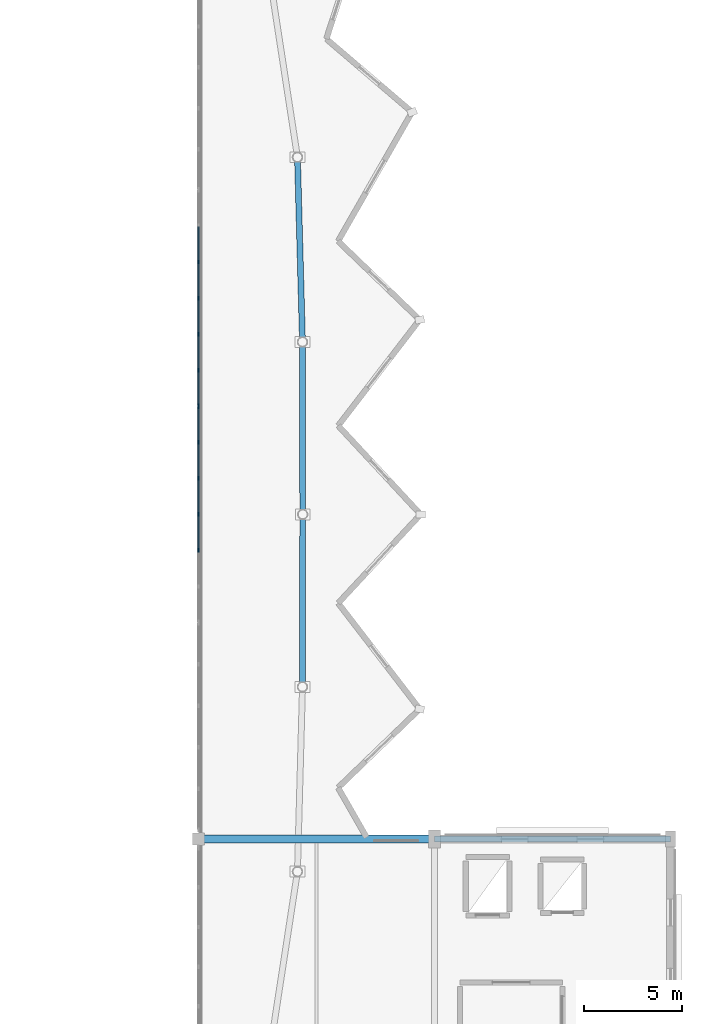
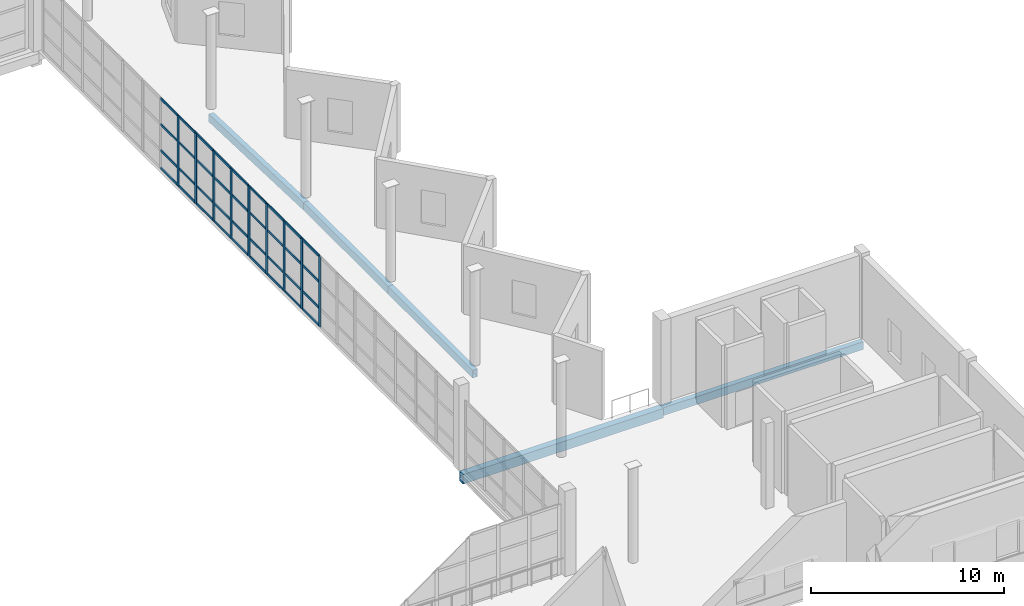
# One storey, part 20 of 49: 46 members, 5 beams, 2 elements without a shape of their own.
"""IFC4 building model written with IfcOpenShell, lengths in metres."""

from ifc_helpers import new_model, si_unit, direction, frame, origin, origin_2d, place, context, subcontext, project, spatial, rectangle, hollow_rectangle, extrude, material, material_profile, profile_set, type_object, element, aggregate, save


model = new_model("IFC4")

# Units and contexts
model_context = context("Model", 3, precision=1e-05, world=origin(), true_north=direction((0.0, 1.0)))
body_context = subcontext(model_context, "Body", "Model", "MODEL_VIEW")
ifc_project = project(units=[si_unit("LENGTHUNIT", "METRE"), si_unit("AREAUNIT", "SQUARE_METRE"), si_unit("VOLUMEUNIT", "CUBIC_METRE"), si_unit("PLANEANGLEUNIT", "RADIAN"), si_unit("MASSUNIT", "GRAM", prefix="KILO")], contexts=[model_context])

# Site, building, storey
site_placement = place(None, origin())
site = spatial("IfcSite", under=ifc_project, at=site_placement, CompositionType="ELEMENT")
building_placement = place(site_placement, origin())
building = spatial("IfcBuilding", under=site, at=building_placement, Name="Luwafu Chhajja Arena", CompositionType="ELEMENT")
storey_placement = place(building_placement, frame((0.0, 0.0, 24.300048828125)))
storey = spatial("IfcBuildingStorey", under=building, at=storey_placement, Name="L05", CompositionType="ELEMENT", Elevation=24.300048828125)

# Curtain wall, members
ifc_material_1 = material(Name="Anodised bronze aluminium", Category="aluminium")
curtain_wall_type = type_object("IfcCurtainWallType", Name="VIP Club Terrace Curtain Wall", PredefinedType="USERDEFINED", material=ifc_material_1)
curtain_wall_1_placement = place(storey_placement, origin())
curtain_wall_1 = element("IfcCurtainWall", 1, at=curtain_wall_1_placement, inside=storey, type_object=curtain_wall_type, Name="L05 Bowl Viewing Curtain Wall CWR-L05-22", ObjectType="CURTAIN WALL", PredefinedType="USERDEFINED")
ifc_material_profile_1 = material_profile(ifc_material_1, rectangle(XDim=0.06494140625, YDim=0.199951171875, at=origin_2d()), Name="CWM 65x200")
ifc_profile_set_1 = profile_set([ifc_material_profile_1], Name="Anodised bronze aluminium")
member_type_1 = type_object("IfcMemberType", Name="Bronze Curtain Wall Mullion 65x200", PredefinedType="MULLION", material=ifc_profile_set_1)
member_1_placement = place(storey_placement, frame((140.0, 47.666748046875, 0.0), z_axis=(0.0, 0.0, 1.0), x_axis=(-1.0, 0.0, 0.0)))
member_1 = element("IfcMember", 2, at=member_1_placement, type_object=member_type_1, Name="CW-10 mullion 3", PredefinedType="MULLION", context=body_context, shape_type="SweptSolid", body=[
    extrude(rectangle(XDim=0.06494140625, YDim=0.199951171875, at=origin_2d()), origin(), (0.0, 0.0, 1.0), 4.449951171875),
])
member_2_placement = place(storey_placement, frame((140.0, 49.5, 0.0), z_axis=(0.0, 0.0, 1.0), x_axis=(-1.0, 0.0, 0.0)))
member_2 = element("IfcMember", 3, at=member_2_placement, type_object=member_type_1, Name="CW-10 mullion 4", PredefinedType="MULLION", context=body_context, shape_type="SweptSolid", body=[
    extrude(rectangle(XDim=0.06494140625, YDim=0.199951171875, at=origin_2d()), origin(), (0.0, 0.0, 1.0), 4.449951171875),
])
member_3_placement = place(storey_placement, frame((140.0, 51.333251953125, 0.0), z_axis=(0.0, 0.0, 1.0), x_axis=(-1.0, 0.0, 0.0)))
member_3 = element("IfcMember", 4, at=member_3_placement, type_object=member_type_1, Name="CW-10 mullion 5", PredefinedType="MULLION", context=body_context, shape_type="SweptSolid", body=[
    extrude(rectangle(XDim=0.06494140625, YDim=0.199951171875, at=origin_2d()), origin(), (0.0, 0.0, 1.0), 4.449951171875),
])
member_4_placement = place(storey_placement, frame((140.0, 53.166748046875, 0.0), z_axis=(0.0, 0.0, 1.0), x_axis=(-1.0, 0.0, 0.0)))
member_4 = element("IfcMember", 5, at=member_4_placement, type_object=member_type_1, Name="CW-10 mullion 6", PredefinedType="MULLION", context=body_context, shape_type="SweptSolid", body=[
    extrude(rectangle(XDim=0.06494140625, YDim=0.199951171875, at=origin_2d()), origin(), (0.0, 0.0, 1.0), 4.449951171875),
])
member_5_placement = place(storey_placement, frame((140.0, 54.967529296875, 0.0), z_axis=(0.0, 0.0, 1.0), x_axis=(-1.0, 0.0, 0.0)))
member_5 = element("IfcMember", 6, at=member_5_placement, type_object=member_type_1, Name="CW-10 mullion 7", PredefinedType="MULLION", context=body_context, shape_type="SweptSolid", body=[
    extrude(rectangle(XDim=0.06494140625, YDim=0.199951171875, at=origin_2d()), origin(), (0.0, 0.0, 1.0), 4.449951171875),
])

curtain_wall_2_placement = place(storey_placement, origin())
curtain_wall_2 = element("IfcCurtainWall", 7, at=curtain_wall_2_placement, inside=storey, type_object=curtain_wall_type, Name="L05 Bowl Viewing Curtain Wall CWR-L05-23", ObjectType="CURTAIN WALL", PredefinedType="USERDEFINED")
member_6_placement = place(storey_placement, frame((140.0, 55.032470703125, 0.0), z_axis=(0.0, 0.0, 1.0), x_axis=(-1.0, 0.0, 0.0)))
member_6 = element("IfcMember", 8, at=member_6_placement, type_object=member_type_1, Name="CW-10 mullion 1", PredefinedType="MULLION", context=body_context, shape_type="SweptSolid", body=[
    extrude(rectangle(XDim=0.06494140625, YDim=0.199951171875, at=origin_2d()), origin(), (0.0, 0.0, 1.0), 4.449951171875),
])
member_7_placement = place(storey_placement, frame((140.0, 56.833251953125, 0.0), z_axis=(0.0, 0.0, 1.0), x_axis=(-1.0, 0.0, 0.0)))
member_7 = element("IfcMember", 9, at=member_7_placement, type_object=member_type_1, Name="CW-10 mullion 2", PredefinedType="MULLION", context=body_context, shape_type="SweptSolid", body=[
    extrude(rectangle(XDim=0.06494140625, YDim=0.199951171875, at=origin_2d()), origin(), (0.0, 0.0, 1.0), 4.449951171875),
])
member_8_placement = place(storey_placement, frame((140.0, 58.666748046875, 0.0), z_axis=(0.0, 0.0, 1.0), x_axis=(-1.0, 0.0, 0.0)))
member_8 = element("IfcMember", 10, at=member_8_placement, type_object=member_type_1, Name="CW-10 mullion 3", PredefinedType="MULLION", context=body_context, shape_type="SweptSolid", body=[
    extrude(rectangle(XDim=0.06494140625, YDim=0.199951171875, at=origin_2d()), origin(), (0.0, 0.0, 1.0), 4.449951171875),
])
member_9_placement = place(storey_placement, frame((140.0, 60.5, 0.0), z_axis=(0.0, 0.0, 1.0), x_axis=(-1.0, 0.0, 0.0)))
member_9 = element("IfcMember", 11, at=member_9_placement, type_object=member_type_1, Name="CW-10 mullion 4", PredefinedType="MULLION", context=body_context, shape_type="SweptSolid", body=[
    extrude(rectangle(XDim=0.06494140625, YDim=0.199951171875, at=origin_2d()), origin(), (0.0, 0.0, 1.0), 4.449951171875),
])
member_10_placement = place(storey_placement, frame((140.0, 62.333251953125, 0.0), z_axis=(0.0, 0.0, 1.0), x_axis=(-1.0, 0.0, 0.0)))
member_10 = element("IfcMember", 12, at=member_10_placement, type_object=member_type_1, Name="CW-10 mullion 5", PredefinedType="MULLION", context=body_context, shape_type="SweptSolid", body=[
    extrude(rectangle(XDim=0.06494140625, YDim=0.199951171875, at=origin_2d()), origin(), (0.0, 0.0, 1.0), 4.449951171875),
])

# Member
ifc_material_profile_2 = material_profile(ifc_material_1, rectangle(XDim=0.06494140625, YDim=0.14990234375, at=origin_2d()), Name="CWT 65x150")
ifc_profile_set_2 = profile_set([ifc_material_profile_2], Name="Anodised bronze aluminium")
member_type_2 = type_object("IfcMemberType", Name="Bronze Curtain Wall Transom 65x150", PredefinedType="USERDEFINED", material=ifc_profile_set_2)
member_11_placement = place(storey_placement, frame((140.0, 47.69921875, 0.032470703125), z_axis=(0.0, 1.0, 0.0), x_axis=(-1.0, 0.0, 0.0)))
member_11 = element("IfcMember", 13, at=member_11_placement, type_object=member_type_2, Name="CW-10 transom 3.1", ObjectType="TRANSOM", PredefinedType="USERDEFINED", context=body_context, shape_type="SweptSolid", body=[
    extrude(rectangle(XDim=0.06494140625, YDim=0.14990234375, at=origin_2d()), origin(), (0.0, 0.0, 1.0), 1.768310546875),
])

member_12_placement = place(storey_placement, frame((140.0, 47.69921875, 1.14990234375), z_axis=(0.0, 1.0, 0.0), x_axis=(-1.0, 0.0, 0.0)))
member_12 = element("IfcMember", 14, at=member_12_placement, type_object=member_type_2, Name="CW-10 transom 3.2", ObjectType="TRANSOM", PredefinedType="USERDEFINED", context=body_context, shape_type="SweptSolid", body=[
    extrude(rectangle(XDim=0.06494140625, YDim=0.14990234375, at=origin_2d()), origin(), (0.0, 0.0, 1.0), 1.768310546875),
])

member_13_placement = place(storey_placement, frame((140.0, 47.69921875, 2.800048828125), z_axis=(0.0, 1.0, 0.0), x_axis=(-1.0, 0.0, 0.0)))
member_13 = element("IfcMember", 15, at=member_13_placement, type_object=member_type_2, Name="CW-10 transom 3.3", ObjectType="TRANSOM", PredefinedType="USERDEFINED", context=body_context, shape_type="SweptSolid", body=[
    extrude(rectangle(XDim=0.06494140625, YDim=0.14990234375, at=origin_2d()), origin(), (0.0, 0.0, 1.0), 1.768310546875),
])

member_14_placement = place(storey_placement, frame((140.0, 47.69921875, 4.41748046875), z_axis=(0.0, 1.0, 0.0), x_axis=(-1.0, 0.0, 0.0)))
member_14 = element("IfcMember", 16, at=member_14_placement, type_object=member_type_2, Name="CW-10 transom 3.4", ObjectType="TRANSOM", PredefinedType="USERDEFINED", context=body_context, shape_type="SweptSolid", body=[
    extrude(rectangle(XDim=0.06494140625, YDim=0.14990234375, at=origin_2d()), origin(), (0.0, 0.0, 1.0), 1.768310546875),
])

member_15_placement = place(storey_placement, frame((140.0, 49.532470703125, 0.032470703125), z_axis=(0.0, 1.0, 0.0), x_axis=(-1.0, 0.0, 0.0)))
member_15 = element("IfcMember", 17, at=member_15_placement, type_object=member_type_2, Name="CW-10 transom 4.1", ObjectType="TRANSOM", PredefinedType="USERDEFINED", context=body_context, shape_type="SweptSolid", body=[
    extrude(rectangle(XDim=0.06494140625, YDim=0.14990234375, at=origin_2d()), origin(), (0.0, 0.0, 1.0), 1.768310546875),
])

member_16_placement = place(storey_placement, frame((140.0, 49.532470703125, 1.14990234375), z_axis=(0.0, 1.0, 0.0), x_axis=(-1.0, 0.0, 0.0)))
member_16 = element("IfcMember", 18, at=member_16_placement, type_object=member_type_2, Name="CW-10 transom 4.2", ObjectType="TRANSOM", PredefinedType="USERDEFINED", context=body_context, shape_type="SweptSolid", body=[
    extrude(rectangle(XDim=0.06494140625, YDim=0.14990234375, at=origin_2d()), origin(), (0.0, 0.0, 1.0), 1.768310546875),
])

member_17_placement = place(storey_placement, frame((140.0, 49.532470703125, 2.800048828125), z_axis=(0.0, 1.0, 0.0), x_axis=(-1.0, 0.0, 0.0)))
member_17 = element("IfcMember", 19, at=member_17_placement, type_object=member_type_2, Name="CW-10 transom 4.3", ObjectType="TRANSOM", PredefinedType="USERDEFINED", context=body_context, shape_type="SweptSolid", body=[
    extrude(rectangle(XDim=0.06494140625, YDim=0.14990234375, at=origin_2d()), origin(), (0.0, 0.0, 1.0), 1.768310546875),
])

member_18_placement = place(storey_placement, frame((140.0, 49.532470703125, 4.41748046875), z_axis=(0.0, 1.0, 0.0), x_axis=(-1.0, 0.0, 0.0)))
member_18 = element("IfcMember", 20, at=member_18_placement, type_object=member_type_2, Name="CW-10 transom 4.4", ObjectType="TRANSOM", PredefinedType="USERDEFINED", context=body_context, shape_type="SweptSolid", body=[
    extrude(rectangle(XDim=0.06494140625, YDim=0.14990234375, at=origin_2d()), origin(), (0.0, 0.0, 1.0), 1.768310546875),
])

member_19_placement = place(storey_placement, frame((140.0, 51.36572265625, 0.032470703125), z_axis=(0.0, 1.0, 0.0), x_axis=(-1.0, 0.0, 0.0)))
member_19 = element("IfcMember", 21, at=member_19_placement, type_object=member_type_2, Name="CW-10 transom 5.1", ObjectType="TRANSOM", PredefinedType="USERDEFINED", context=body_context, shape_type="SweptSolid", body=[
    extrude(rectangle(XDim=0.06494140625, YDim=0.14990234375, at=origin_2d()), origin(), (0.0, 0.0, 1.0), 1.7685546875),
])

member_20_placement = place(storey_placement, frame((140.0, 51.36572265625, 1.14990234375), z_axis=(0.0, 1.0, 0.0), x_axis=(-1.0, 0.0, 0.0)))
member_20 = element("IfcMember", 22, at=member_20_placement, type_object=member_type_2, Name="CW-10 transom 5.2", ObjectType="TRANSOM", PredefinedType="USERDEFINED", context=body_context, shape_type="SweptSolid", body=[
    extrude(rectangle(XDim=0.06494140625, YDim=0.14990234375, at=origin_2d()), origin(), (0.0, 0.0, 1.0), 1.7685546875),
])

member_21_placement = place(storey_placement, frame((140.0, 51.36572265625, 2.800048828125), z_axis=(0.0, 1.0, 0.0), x_axis=(-1.0, 0.0, 0.0)))
member_21 = element("IfcMember", 23, at=member_21_placement, type_object=member_type_2, Name="CW-10 transom 5.3", ObjectType="TRANSOM", PredefinedType="USERDEFINED", context=body_context, shape_type="SweptSolid", body=[
    extrude(rectangle(XDim=0.06494140625, YDim=0.14990234375, at=origin_2d()), origin(), (0.0, 0.0, 1.0), 1.7685546875),
])

member_22_placement = place(storey_placement, frame((140.0, 51.36572265625, 4.41748046875), z_axis=(0.0, 1.0, 0.0), x_axis=(-1.0, 0.0, 0.0)))
member_22 = element("IfcMember", 24, at=member_22_placement, type_object=member_type_2, Name="CW-10 transom 5.4", ObjectType="TRANSOM", PredefinedType="USERDEFINED", context=body_context, shape_type="SweptSolid", body=[
    extrude(rectangle(XDim=0.06494140625, YDim=0.14990234375, at=origin_2d()), origin(), (0.0, 0.0, 1.0), 1.7685546875),
])

member_23_placement = place(storey_placement, frame((140.0, 53.19921875, 0.032470703125), z_axis=(0.0, 1.0, 0.0), x_axis=(-1.0, 0.0, 0.0)))
member_23 = element("IfcMember", 25, at=member_23_placement, type_object=member_type_2, Name="CW-10 transom 6.1", ObjectType="TRANSOM", PredefinedType="USERDEFINED", context=body_context, shape_type="SweptSolid", body=[
    extrude(rectangle(XDim=0.06494140625, YDim=0.14990234375, at=origin_2d()), origin(), (0.0, 0.0, 1.0), 1.73583984375),
])

member_24_placement = place(storey_placement, frame((140.0, 53.19921875, 1.14990234375), z_axis=(0.0, 1.0, 0.0), x_axis=(-1.0, 0.0, 0.0)))
member_24 = element("IfcMember", 26, at=member_24_placement, type_object=member_type_2, Name="CW-10 transom 6.2", ObjectType="TRANSOM", PredefinedType="USERDEFINED", context=body_context, shape_type="SweptSolid", body=[
    extrude(rectangle(XDim=0.06494140625, YDim=0.14990234375, at=origin_2d()), origin(), (0.0, 0.0, 1.0), 1.73583984375),
])

member_25_placement = place(storey_placement, frame((140.0, 53.19921875, 2.800048828125), z_axis=(0.0, 1.0, 0.0), x_axis=(-1.0, 0.0, 0.0)))
member_25 = element("IfcMember", 27, at=member_25_placement, type_object=member_type_2, Name="CW-10 transom 6.3", ObjectType="TRANSOM", PredefinedType="USERDEFINED", context=body_context, shape_type="SweptSolid", body=[
    extrude(rectangle(XDim=0.06494140625, YDim=0.14990234375, at=origin_2d()), origin(), (0.0, 0.0, 1.0), 1.73583984375),
])

member_26_placement = place(storey_placement, frame((140.0, 53.19921875, 4.41748046875), z_axis=(0.0, 1.0, 0.0), x_axis=(-1.0, 0.0, 0.0)))
member_26 = element("IfcMember", 28, at=member_26_placement, type_object=member_type_2, Name="CW-10 transom 6.4", ObjectType="TRANSOM", PredefinedType="USERDEFINED", context=body_context, shape_type="SweptSolid", body=[
    extrude(rectangle(XDim=0.06494140625, YDim=0.14990234375, at=origin_2d()), origin(), (0.0, 0.0, 1.0), 1.73583984375),
])

aggregate(curtain_wall_1, [member_1, member_2, member_3, member_4, member_5, member_11, member_12, member_13, member_14, member_15, member_16, member_17, member_18, member_19, member_20, member_21, member_22, member_23, member_24, member_25, member_26])

member_27_placement = place(storey_placement, frame((140.0, 55.06494140625, 0.032470703125), z_axis=(0.0, 1.0, 0.0), x_axis=(-1.0, 0.0, 0.0)))
member_27 = element("IfcMember", 29, at=member_27_placement, type_object=member_type_2, Name="CW-10 transom 1.1", ObjectType="TRANSOM", PredefinedType="USERDEFINED", context=body_context, shape_type="SweptSolid", body=[
    extrude(rectangle(XDim=0.06494140625, YDim=0.14990234375, at=origin_2d()), origin(), (0.0, 0.0, 1.0), 1.73583984375),
])

member_28_placement = place(storey_placement, frame((140.0, 55.06494140625, 1.14990234375), z_axis=(0.0, 1.0, 0.0), x_axis=(-1.0, 0.0, 0.0)))
member_28 = element("IfcMember", 30, at=member_28_placement, type_object=member_type_2, Name="CW-10 transom 1.2", ObjectType="TRANSOM", PredefinedType="USERDEFINED", context=body_context, shape_type="SweptSolid", body=[
    extrude(rectangle(XDim=0.06494140625, YDim=0.14990234375, at=origin_2d()), origin(), (0.0, 0.0, 1.0), 1.73583984375),
])

member_29_placement = place(storey_placement, frame((140.0, 55.06494140625, 2.800048828125), z_axis=(0.0, 1.0, 0.0), x_axis=(-1.0, 0.0, 0.0)))
member_29 = element("IfcMember", 31, at=member_29_placement, type_object=member_type_2, Name="CW-10 transom 1.3", ObjectType="TRANSOM", PredefinedType="USERDEFINED", context=body_context, shape_type="SweptSolid", body=[
    extrude(rectangle(XDim=0.06494140625, YDim=0.14990234375, at=origin_2d()), origin(), (0.0, 0.0, 1.0), 1.73583984375),
])

member_30_placement = place(storey_placement, frame((140.0, 55.06494140625, 4.41748046875), z_axis=(0.0, 1.0, 0.0), x_axis=(-1.0, 0.0, 0.0)))
member_30 = element("IfcMember", 32, at=member_30_placement, type_object=member_type_2, Name="CW-10 transom 1.4", ObjectType="TRANSOM", PredefinedType="USERDEFINED", context=body_context, shape_type="SweptSolid", body=[
    extrude(rectangle(XDim=0.06494140625, YDim=0.14990234375, at=origin_2d()), origin(), (0.0, 0.0, 1.0), 1.73583984375),
])

member_31_placement = place(storey_placement, frame((140.0, 56.86572265625, 0.032470703125), z_axis=(0.0, 1.0, 0.0), x_axis=(-1.0, 0.0, 0.0)))
member_31 = element("IfcMember", 33, at=member_31_placement, type_object=member_type_2, Name="CW-10 transom 2.1", ObjectType="TRANSOM", PredefinedType="USERDEFINED", context=body_context, shape_type="SweptSolid", body=[
    extrude(rectangle(XDim=0.06494140625, YDim=0.14990234375, at=origin_2d()), origin(), (0.0, 0.0, 1.0), 1.7685546875),
])

member_32_placement = place(storey_placement, frame((140.0, 56.86572265625, 1.14990234375), z_axis=(0.0, 1.0, 0.0), x_axis=(-1.0, 0.0, 0.0)))
member_32 = element("IfcMember", 34, at=member_32_placement, type_object=member_type_2, Name="CW-10 transom 2.2", ObjectType="TRANSOM", PredefinedType="USERDEFINED", context=body_context, shape_type="SweptSolid", body=[
    extrude(rectangle(XDim=0.06494140625, YDim=0.14990234375, at=origin_2d()), origin(), (0.0, 0.0, 1.0), 1.7685546875),
])

member_33_placement = place(storey_placement, frame((140.0, 56.86572265625, 2.800048828125), z_axis=(0.0, 1.0, 0.0), x_axis=(-1.0, 0.0, 0.0)))
member_33 = element("IfcMember", 35, at=member_33_placement, type_object=member_type_2, Name="CW-10 transom 2.3", ObjectType="TRANSOM", PredefinedType="USERDEFINED", context=body_context, shape_type="SweptSolid", body=[
    extrude(rectangle(XDim=0.06494140625, YDim=0.14990234375, at=origin_2d()), origin(), (0.0, 0.0, 1.0), 1.7685546875),
])

member_34_placement = place(storey_placement, frame((140.0, 56.86572265625, 4.41748046875), z_axis=(0.0, 1.0, 0.0), x_axis=(-1.0, 0.0, 0.0)))
member_34 = element("IfcMember", 36, at=member_34_placement, type_object=member_type_2, Name="CW-10 transom 2.4", ObjectType="TRANSOM", PredefinedType="USERDEFINED", context=body_context, shape_type="SweptSolid", body=[
    extrude(rectangle(XDim=0.06494140625, YDim=0.14990234375, at=origin_2d()), origin(), (0.0, 0.0, 1.0), 1.7685546875),
])

member_35_placement = place(storey_placement, frame((140.0, 58.69921875, 0.032470703125), z_axis=(0.0, 1.0, 0.0), x_axis=(-1.0, 0.0, 0.0)))
member_35 = element("IfcMember", 37, at=member_35_placement, type_object=member_type_2, Name="CW-10 transom 3.1", ObjectType="TRANSOM", PredefinedType="USERDEFINED", context=body_context, shape_type="SweptSolid", body=[
    extrude(rectangle(XDim=0.06494140625, YDim=0.14990234375, at=origin_2d()), origin(), (0.0, 0.0, 1.0), 1.768310546875),
])

member_36_placement = place(storey_placement, frame((140.0, 58.69921875, 1.14990234375), z_axis=(0.0, 1.0, 0.0), x_axis=(-1.0, 0.0, 0.0)))
member_36 = element("IfcMember", 38, at=member_36_placement, type_object=member_type_2, Name="CW-10 transom 3.2", ObjectType="TRANSOM", PredefinedType="USERDEFINED", context=body_context, shape_type="SweptSolid", body=[
    extrude(rectangle(XDim=0.06494140625, YDim=0.14990234375, at=origin_2d()), origin(), (0.0, 0.0, 1.0), 1.768310546875),
])

member_37_placement = place(storey_placement, frame((140.0, 58.69921875, 2.800048828125), z_axis=(0.0, 1.0, 0.0), x_axis=(-1.0, 0.0, 0.0)))
member_37 = element("IfcMember", 39, at=member_37_placement, type_object=member_type_2, Name="CW-10 transom 3.3", ObjectType="TRANSOM", PredefinedType="USERDEFINED", context=body_context, shape_type="SweptSolid", body=[
    extrude(rectangle(XDim=0.06494140625, YDim=0.14990234375, at=origin_2d()), origin(), (0.0, 0.0, 1.0), 1.768310546875),
])

member_38_placement = place(storey_placement, frame((140.0, 58.69921875, 4.41748046875), z_axis=(0.0, 1.0, 0.0), x_axis=(-1.0, 0.0, 0.0)))
member_38 = element("IfcMember", 40, at=member_38_placement, type_object=member_type_2, Name="CW-10 transom 3.4", ObjectType="TRANSOM", PredefinedType="USERDEFINED", context=body_context, shape_type="SweptSolid", body=[
    extrude(rectangle(XDim=0.06494140625, YDim=0.14990234375, at=origin_2d()), origin(), (0.0, 0.0, 1.0), 1.768310546875),
])

member_39_placement = place(storey_placement, frame((140.0, 60.532470703125, 0.032470703125), z_axis=(0.0, 1.0, 0.0), x_axis=(-1.0, 0.0, 0.0)))
member_39 = element("IfcMember", 41, at=member_39_placement, type_object=member_type_2, Name="CW-10 transom 4.1", ObjectType="TRANSOM", PredefinedType="USERDEFINED", context=body_context, shape_type="SweptSolid", body=[
    extrude(rectangle(XDim=0.06494140625, YDim=0.14990234375, at=origin_2d()), origin(), (0.0, 0.0, 1.0), 1.768310546875),
])

member_40_placement = place(storey_placement, frame((140.0, 60.532470703125, 1.14990234375), z_axis=(0.0, 1.0, 0.0), x_axis=(-1.0, 0.0, 0.0)))
member_40 = element("IfcMember", 42, at=member_40_placement, type_object=member_type_2, Name="CW-10 transom 4.2", ObjectType="TRANSOM", PredefinedType="USERDEFINED", context=body_context, shape_type="SweptSolid", body=[
    extrude(rectangle(XDim=0.06494140625, YDim=0.14990234375, at=origin_2d()), origin(), (0.0, 0.0, 1.0), 1.768310546875),
])

member_41_placement = place(storey_placement, frame((140.0, 60.532470703125, 2.800048828125), z_axis=(0.0, 1.0, 0.0), x_axis=(-1.0, 0.0, 0.0)))
member_41 = element("IfcMember", 43, at=member_41_placement, type_object=member_type_2, Name="CW-10 transom 4.3", ObjectType="TRANSOM", PredefinedType="USERDEFINED", context=body_context, shape_type="SweptSolid", body=[
    extrude(rectangle(XDim=0.06494140625, YDim=0.14990234375, at=origin_2d()), origin(), (0.0, 0.0, 1.0), 1.768310546875),
])

member_42_placement = place(storey_placement, frame((140.0, 60.532470703125, 4.41748046875), z_axis=(0.0, 1.0, 0.0), x_axis=(-1.0, 0.0, 0.0)))
member_42 = element("IfcMember", 44, at=member_42_placement, type_object=member_type_2, Name="CW-10 transom 4.4", ObjectType="TRANSOM", PredefinedType="USERDEFINED", context=body_context, shape_type="SweptSolid", body=[
    extrude(rectangle(XDim=0.06494140625, YDim=0.14990234375, at=origin_2d()), origin(), (0.0, 0.0, 1.0), 1.768310546875),
])

member_43_placement = place(storey_placement, frame((140.0, 62.36572265625, 0.032470703125), z_axis=(0.0, 1.0, 0.0), x_axis=(-1.0, 0.0, 0.0)))
member_43 = element("IfcMember", 45, at=member_43_placement, type_object=member_type_2, Name="CW-10 transom 5.1", ObjectType="TRANSOM", PredefinedType="USERDEFINED", context=body_context, shape_type="SweptSolid", body=[
    extrude(rectangle(XDim=0.06494140625, YDim=0.14990234375, at=origin_2d()), origin(), (0.0, 0.0, 1.0), 1.7685546875),
])

member_44_placement = place(storey_placement, frame((140.0, 62.36572265625, 1.14990234375), z_axis=(0.0, 1.0, 0.0), x_axis=(-1.0, 0.0, 0.0)))
member_44 = element("IfcMember", 46, at=member_44_placement, type_object=member_type_2, Name="CW-10 transom 5.2", ObjectType="TRANSOM", PredefinedType="USERDEFINED", context=body_context, shape_type="SweptSolid", body=[
    extrude(rectangle(XDim=0.06494140625, YDim=0.14990234375, at=origin_2d()), origin(), (0.0, 0.0, 1.0), 1.7685546875),
])

member_45_placement = place(storey_placement, frame((140.0, 62.36572265625, 2.800048828125), z_axis=(0.0, 1.0, 0.0), x_axis=(-1.0, 0.0, 0.0)))
member_45 = element("IfcMember", 47, at=member_45_placement, type_object=member_type_2, Name="CW-10 transom 5.3", ObjectType="TRANSOM", PredefinedType="USERDEFINED", context=body_context, shape_type="SweptSolid", body=[
    extrude(rectangle(XDim=0.06494140625, YDim=0.14990234375, at=origin_2d()), origin(), (0.0, 0.0, 1.0), 1.7685546875),
])

member_46_placement = place(storey_placement, frame((140.0, 62.36572265625, 4.41748046875), z_axis=(0.0, 1.0, 0.0), x_axis=(-1.0, 0.0, 0.0)))
member_46 = element("IfcMember", 48, at=member_46_placement, type_object=member_type_2, Name="CW-10 transom 5.4", ObjectType="TRANSOM", PredefinedType="USERDEFINED", context=body_context, shape_type="SweptSolid", body=[
    extrude(rectangle(XDim=0.06494140625, YDim=0.14990234375, at=origin_2d()), origin(), (0.0, 0.0, 1.0), 1.7685546875),
])

aggregate(curtain_wall_2, [member_6, member_7, member_8, member_9, member_10, member_27, member_28, member_29, member_30, member_31, member_32, member_33, member_34, member_35, member_36, member_37, member_38, member_39, member_40, member_41, member_42, member_43, member_44, member_45, member_46])

# Beams
ifc_material_2 = material(Name="Steel S355", Category="steel")
ifc_material_profile_3 = material_profile(ifc_material_2, hollow_rectangle(XDim=0.300048828125, YDim=0.5, WallThickness=0.02001953125, at=origin_2d()), Name="RHS 500x300x20")
ifc_profile_set_3 = profile_set([ifc_material_profile_3], Name="Steel S355")
beam_type_1 = type_object("IfcBeamType", Name="Pleated Drum Spandrel Beam RHS 500x300", PredefinedType="SPANDREL", material=ifc_profile_set_3)
beam_1_placement = place(storey_placement, frame((152.0, 33.0, -0.64013671875), z_axis=(1.0, 0.0, 0.0), x_axis=(0.0, 1.0, 0.0)))
element("IfcBeam", 49, at=beam_1_placement, inside=storey, type_object=beam_type_1, Name="L05 Grid Beam 14-15/D", PredefinedType="SPANDREL", context=body_context, shape_type="SweptSolid", body=[
    extrude(hollow_rectangle(XDim=0.300048828125, YDim=0.5, WallThickness=0.02001953125, at=origin_2d()), origin(), (0.0, 0.0, 1.0), 12.0),
])
beam_2_placement = place(storey_placement, frame((145.300048828125, 49.5, -0.64013671875), z_axis=(-0.001419780869, 0.999998992111, 0.0), x_axis=(-0.999998992111, -0.001419780869, 0.0)))
element("IfcBeam", 50, at=beam_2_placement, inside=storey, type_object=beam_type_1, Name="L05 Drum Ring Spandrel D01-D02", PredefinedType="SPANDREL", context=body_context, shape_type="SweptSolid", body=[
    extrude(hollow_rectangle(XDim=0.300048828125, YDim=0.5, WallThickness=0.02001953125, at=origin_2d()), origin(), (0.0, 0.0, 1.0), 8.769775390625),
])
beam_3_placement = place(storey_placement, frame((145.28759765625, 58.269775390625, -0.64013671875), z_axis=(-0.02720805866, 0.999629792245, 0.0), x_axis=(-0.999629792245, -0.02720805866, 0.0)))
element("IfcBeam", 51, at=beam_3_placement, inside=storey, type_object=beam_type_1, Name="L05 Drum Ring Spandrel D02-D03", PredefinedType="SPANDREL", context=body_context, shape_type="SweptSolid", body=[
    extrude(hollow_rectangle(XDim=0.300048828125, YDim=0.5, WallThickness=0.02001953125, at=origin_2d()), origin(), (0.0, 0.0, 1.0), 9.394775390625),
])
beam_4_placement = place(storey_placement, frame((145.28759765625, 40.730224609375, -0.64013671875), z_axis=(0.001419780869, 0.999998992111, 0.0), x_axis=(-0.999998992111, 0.001419780869, 0.0)))
element("IfcBeam", 52, at=beam_4_placement, inside=storey, type_object=beam_type_1, Name="L05 Drum Ring Spandrel D32-D01", PredefinedType="SPANDREL", context=body_context, shape_type="SweptSolid", body=[
    extrude(hollow_rectangle(XDim=0.300048828125, YDim=0.5, WallThickness=0.02001953125, at=origin_2d()), origin(), (0.0, 0.0, 1.0), 8.769775390625),
])
ifc_material_3 = material(Name="Concrete C35/45", Category="concrete")
ifc_material_profile_4 = material_profile(ifc_material_3, rectangle(XDim=0.39990234375, YDim=0.60009765625, at=origin_2d()), Name="RC 400x600")
ifc_profile_set_4 = profile_set([ifc_material_profile_4], Name="Concrete C35/45")
beam_type_2 = type_object("IfcBeamType", Name="Podium Perimeter Spandrel RC 400x600", PredefinedType="SPANDREL", material=ifc_profile_set_4)
beam_5_placement = place(storey_placement, frame((140.0, 33.0, -0.68994140625), z_axis=(1.0, 0.0, 0.0), x_axis=(0.0, 1.0, 0.0)))
element("IfcBeam", 53, at=beam_5_placement, inside=storey, type_object=beam_type_2, Name="L05 Grid Beam 13-14/D", PredefinedType="SPANDREL", context=body_context, shape_type="SweptSolid", body=[
    extrude(rectangle(XDim=0.39990234375, YDim=0.60009765625, at=origin_2d()), origin(), (0.0, 0.0, 1.0), 12.0),
])

save(model, "model.ifc")
